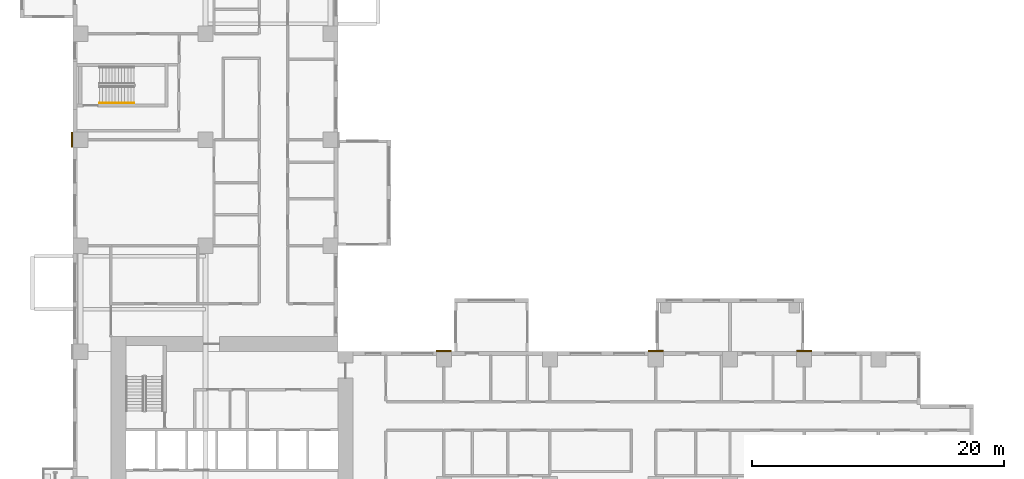
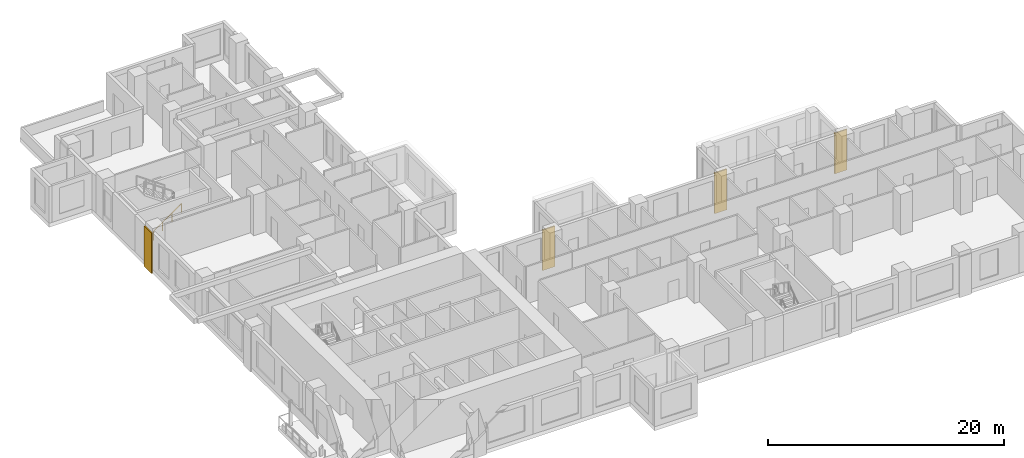
# One storey, part 13 of 15: 4 coverings, 1 railing.
"""IFC4 building model written with IfcOpenShell, lengths in metres."""

from ifc_helpers import new_model, si_unit, direction, frame, origin, origin_2d, place, context, subcontext, project, spatial, rectangle, circle, extrude, source, transform, mapped, material, type_object, element, save


model = new_model("IFC4")

# Units and contexts
model_context = context("Model", 3, precision=1e-05, world=origin(), true_north=direction((0.0, 1.0)))
body_context = subcontext(model_context, "Body", "Model", "MODEL_VIEW")
ifc_project = project(units=[si_unit("LENGTHUNIT", "METRE"), si_unit("AREAUNIT", "SQUARE_METRE"), si_unit("VOLUMEUNIT", "CUBIC_METRE"), si_unit("PLANEANGLEUNIT", "RADIAN"), si_unit("MASSUNIT", "GRAM", prefix="KILO")], contexts=[model_context])

# Site, building, storey
site_placement = place(None, origin())
site = spatial("IfcSite", under=ifc_project, at=site_placement, CompositionType="ELEMENT")
building_placement = place(site_placement, origin())
building = spatial("IfcBuilding", under=site, at=building_placement, Name="Aurelian Terraces", CompositionType="ELEMENT")
storey_placement = place(building_placement, frame((0.0, 0.0, 82.5)))
storey = spatial("IfcBuildingStorey", under=building, at=storey_placement, Name="L17", CompositionType="ELEMENT", Elevation=82.5)

# Coverings
ifc_material_1 = material(Name="Terracotta rainscreen cladding relief", Category="masonry")
covering_type = type_object("IfcCoveringType", Name="BAGUETTE-TC", PredefinedType="CLADDING", material=ifc_material_1)
shared_shape_1 = source(origin(), body_context, "Body", "SweptSolid", [
    extrude(rectangle(XDim=1.2, YDim=0.12, at=origin_2d()), origin(), (0.0, 0.0, 1.0), 4.2),
])
for number, where, z_axis, x_axis, name in (
    (1, (29.4, 21.06, -0.4), (0.0, 0.0, 1.0), (1.0, 0.0, 0.0), "BAGUETTE pier L17 6"),
    (2, (46.2, 21.06, -0.4), (0.0, 0.0, 1.0), (1.0, 0.0, 0.0), "BAGUETTE pier L17 7"),
    (3, (57.96, 21.06, -0.4), (0.0, 0.0, 1.0), (1.0, 0.0, 0.0), "BAGUETTE pier L17 8"),
):
    element("IfcCovering", number, at=place(storey_placement, frame(where, z_axis=z_axis, x_axis=x_axis)), inside=storey, type_object=covering_type, Name=name, PredefinedType="CLADDING", context=body_context, shape_type="MappedRepresentation", body=[
        mapped(shared_shape_1, transform((0.0, 0.0, 0.0), scale=1.0)),
    ])
shared_shape_2 = source(origin(), body_context, "Body", "SweptSolid", [
    extrude(rectangle(XDim=0.12, YDim=1.2, at=origin_2d()), origin(), (0.0, 0.0, 1.0), 4.2),
])
covering_placement = place(storey_placement, frame((-0.06, 37.8, -0.4), z_axis=(0.0, 0.0, 1.0), x_axis=(1.0, 0.0, 0.0)))
element("IfcCovering", 4, at=covering_placement, inside=storey, type_object=covering_type, Name="BAGUETTE pier L17 10", PredefinedType="CLADDING", context=body_context, shape_type="MappedRepresentation", body=[
    mapped(shared_shape_2, transform((0.0, 0.0, 0.0), scale=1.0)),
])

# Railing
ifc_material_2 = material(Name="Stainless steel", Category="steel")
railing_type = type_object("IfcRailingType", Name="Stair handrail", PredefinedType="HANDRAIL", material=ifc_material_2)
shared_shape_3 = source(origin(), body_context, "Body", "SweptSolid", [
    extrude(circle(Radius=0.024, at=origin_2d()), frame((0.0, 0.0, 0.876), z_axis=(0.819231920519, 0.0, 0.573462344363), x_axis=(0.0, 1.0, 0.0)), (0.0, 0.0, 1.0), 3.3568),
    extrude(circle(Radius=0.021, at=origin_2d()), origin(), (0.0, 0.0, 1.0), 0.852),
    extrude(circle(Radius=0.021, at=origin_2d()), frame((0.9167, 0.0, 0.6417)), (0.0, 0.0, 1.0), 0.852),
    extrude(circle(Radius=0.021, at=origin_2d()), frame((1.8333, 0.0, 1.2833)), (0.0, 0.0, 1.0), 0.852),
    extrude(circle(Radius=0.021, at=origin_2d()), frame((2.75, 0.0, 1.925)), (0.0, 0.0, 1.0), 0.852),
])
railing_placement = place(storey_placement, frame((2.1, 40.7, 0.175)))
element("IfcRailing", 5, at=railing_placement, inside=storey, type_object=railing_type, Name="L17 S3 stair handrail 1", PredefinedType="HANDRAIL", context=body_context, shape_type="MappedRepresentation", body=[
    mapped(shared_shape_3, transform((0.0, 0.0, 0.0), scale=1.0)),
])

save(model, "model.ifc")
